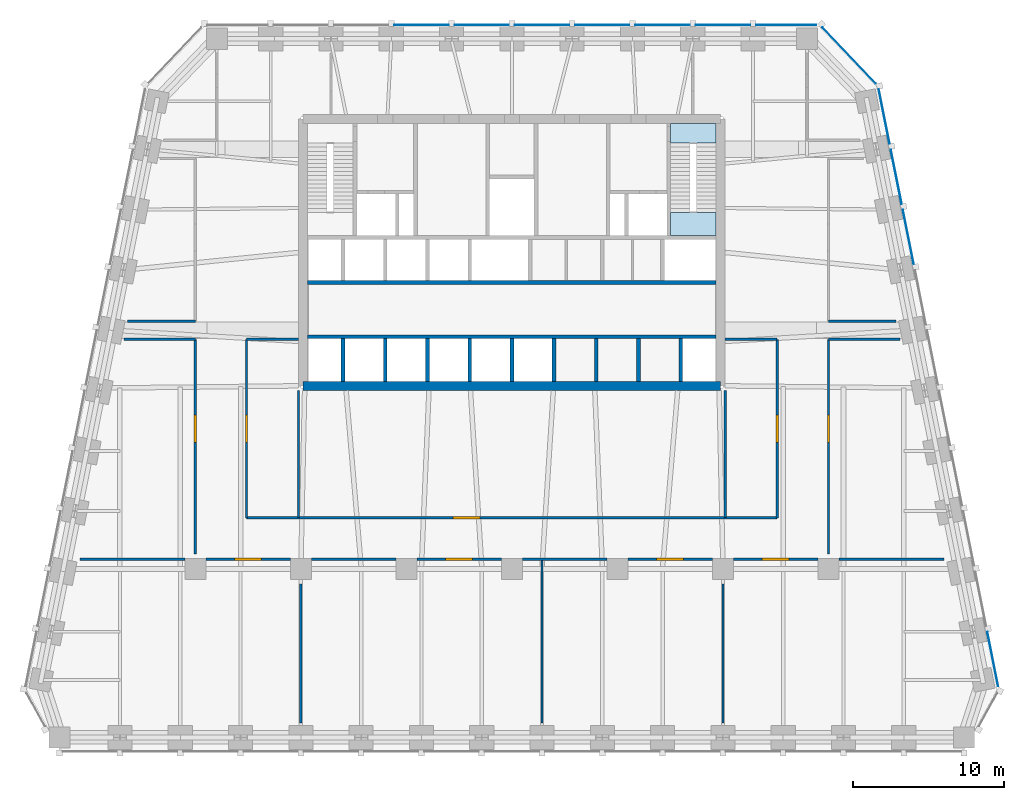
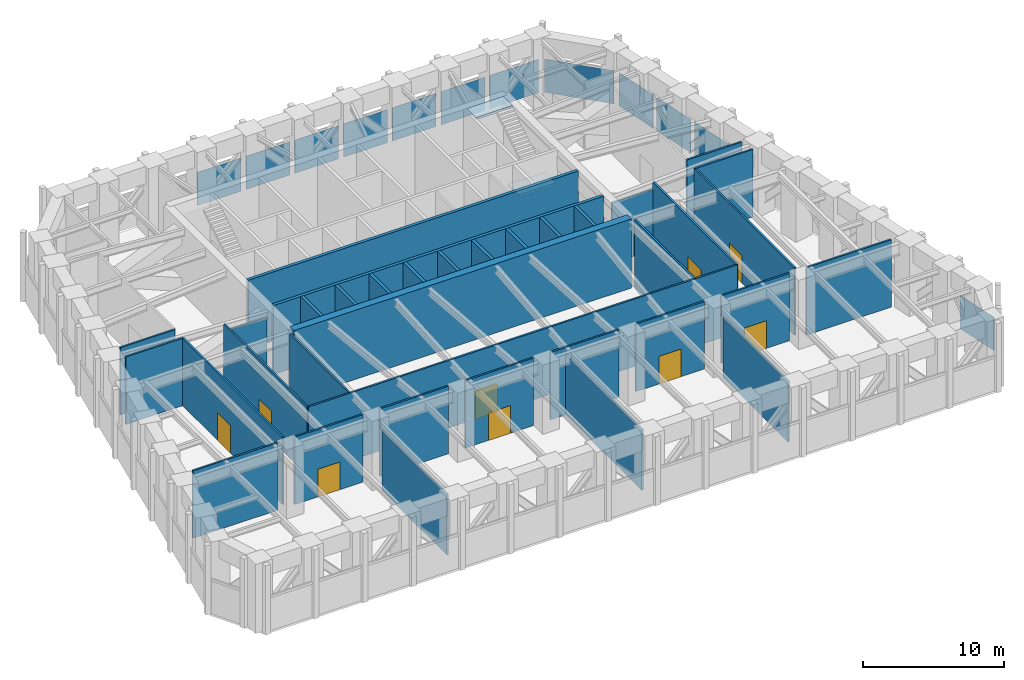
# One storey, part 6 of 9: 36 walls, 12 plates, 9 doors, 2 slabs, 9 openings, 4 elements without a shape of their own.
"""IFC4 building model written with IfcOpenShell, lengths in metres."""

from ifc_helpers import new_model, si_unit, direction, frame, frame_2d, origin, origin_2d, place, context, subcontext, project, spatial, polyline, rectangle, outline, extrude, material, layer, layer_set, type_object, element, fill, aggregate, save


model = new_model("IFC4")

# Units and contexts
model_context = context("Model", 3, precision=1e-05, world=origin(), true_north=direction((0.0, 1.0)))
body_context = subcontext(model_context, "Body", "Model", "MODEL_VIEW")
ifc_project = project(units=[si_unit("LENGTHUNIT", "METRE"), si_unit("AREAUNIT", "SQUARE_METRE"), si_unit("VOLUMEUNIT", "CUBIC_METRE"), si_unit("PLANEANGLEUNIT", "RADIAN"), si_unit("MASSUNIT", "GRAM", prefix="KILO")], contexts=[model_context])

# Site, building, storey
site_placement = place(None, origin())
site = spatial("IfcSite", under=ifc_project, at=site_placement, CompositionType="ELEMENT")
building_placement = place(site_placement, origin())
building = spatial("IfcBuilding", under=site, at=building_placement, Name="Isbrekke Arena Tower", CompositionType="ELEMENT")
storey_placement = place(building_placement, frame((0.0, 0.0, 242.0)))
storey = spatial("IfcBuildingStorey", under=building, at=storey_placement, Name="L56", CompositionType="ELEMENT", Elevation=242.0)

# Curtain wall, plates
ifc_material_1 = material(Name="Glazed aluminium curtain wall", Category="aluminium")
curtain_wall_type = type_object("IfcCurtainWallType", Name="CWR PLANT LOUVRE WALL", PredefinedType="USERDEFINED", material=ifc_material_1)
curtain_wall_1_placement = place(storey_placement, origin())
curtain_wall_1 = element("IfcCurtainWall", 1, at=curtain_wall_1_placement, inside=storey, type_object=curtain_wall_type, Name="CWR curtain wall L56-E", ObjectType="PLANT LOUVRE WALL", PredefinedType="USERDEFINED")
ifc_material_2 = material(Name="Aluminium louvre", Category="aluminium")
ifc_layer_1 = layer(ifc_material_2, 0.031982421875)
ifc_layer_set_1 = layer_set([ifc_layer_1], Name="CWR-P LOUVRE PANEL")
plate_type = type_object("IfcPlateType", Name="CWR-P LOUVRE PANEL", PredefinedType="CURTAIN_PANEL", material=ifc_layer_set_1)
plate_1_placement = place(storey_placement, frame((31.89794921875, -11.98046875, 0.02001953125), z_axis=(0.0, 0.0, 1.0), x_axis=(-0.196116135138, 0.980580675691, 0.0)))
plate_1 = element("IfcPlate", 2, at=plate_1_placement, type_object=plate_type, Name="CWR-P panel 1", PredefinedType="CURTAIN_PANEL", context=body_context, shape_type="SweptSolid", body=[
    extrude(rectangle(XDim=3.67919921875, YDim=0.031982421875, at=origin_2d()), origin(), (0.0, 0.0, 1.0), 2.8798828125),
])
plate_2_placement = place(storey_placement, frame((26.298095703125, 16.01953125, 0.02001953125), z_axis=(0.0, 0.0, 1.0), x_axis=(-0.196116135138, 0.980580675691, 0.0)))
plate_2 = element("IfcPlate", 3, at=plate_2_placement, type_object=plate_type, Name="CWR-P panel 8", PredefinedType="CURTAIN_PANEL", context=body_context, shape_type="SweptSolid", body=[
    extrude(rectangle(XDim=3.67919921875, YDim=0.031982421875, at=origin_2d()), origin(), (0.0, 0.0, 1.0), 2.8798828125),
])
plate_3_placement = place(storey_placement, frame((25.498046875, 20.01953125, 0.02001953125), z_axis=(0.0, 0.0, 1.0), x_axis=(-0.196116135138, 0.980580675691, 0.0)))
plate_3 = element("IfcPlate", 4, at=plate_3_placement, type_object=plate_type, Name="CWR-P panel 9", PredefinedType="CURTAIN_PANEL", context=body_context, shape_type="SweptSolid", body=[
    extrude(rectangle(XDim=3.67919921875, YDim=0.031982421875, at=origin_2d()), origin(), (0.0, 0.0, 1.0), 2.8798828125),
])
plate_4_placement = place(storey_placement, frame((24.697998046875, 24.01953125, 0.02001953125), z_axis=(0.0, 0.0, 1.0), x_axis=(-0.196116135138, 0.980580675691, 0.0)))
plate_4 = element("IfcPlate", 5, at=plate_4_placement, type_object=plate_type, Name="CWR-P panel 10", PredefinedType="CURTAIN_PANEL", context=body_context, shape_type="SweptSolid", body=[
    extrude(rectangle(XDim=3.67919921875, YDim=0.031982421875, at=origin_2d()), origin(), (0.0, 0.0, 1.0), 2.8798828125),
])
aggregate(curtain_wall_1, [plate_1, plate_2, plate_3, plate_4])

# Curtain wall, plate
curtain_wall_2_placement = place(storey_placement, origin())
curtain_wall_2 = element("IfcCurtainWall", 6, at=curtain_wall_2_placement, inside=storey, type_object=curtain_wall_type, Name="CWR curtain wall L56-EN", ObjectType="PLANT LOUVRE WALL", PredefinedType="USERDEFINED")
plate_5_placement = place(storey_placement, frame((22.37255859375, 28.06884765625, 0.02001953125), z_axis=(0.0, 0.0, 1.0), x_axis=(-0.68874946192, 0.72499943359, 0.0)))
plate_5 = element("IfcPlate", 7, at=plate_5_placement, type_object=plate_type, Name="CWR-P panel 1", PredefinedType="CURTAIN_PANEL", context=body_context, shape_type="SweptSolid", body=[
    extrude(rectangle(XDim=5.1171875, YDim=0.031982421875, at=origin_2d()), origin(), (0.0, 0.0, 1.0), 2.8798828125),
])
aggregate(curtain_wall_2, [plate_5])

# Curtain wall, plates
curtain_wall_3_placement = place(storey_placement, origin())
curtain_wall_3 = element("IfcCurtainWall", 8, at=curtain_wall_3_placement, inside=storey, type_object=curtain_wall_type, Name="CWR curtain wall L56-N", ObjectType="PLANT LOUVRE WALL", PredefinedType="USERDEFINED")
plate_6_placement = place(storey_placement, frame((18.199951171875, 30.10009765625, 0.02001953125), z_axis=(0.0, 0.0, 1.0), x_axis=(-1.0, 0.0, 0.0)))
plate_6 = element("IfcPlate", 9, at=plate_6_placement, type_object=plate_type, Name="CWR-P panel 1", PredefinedType="CURTAIN_PANEL", context=body_context, shape_type="SweptSolid", body=[
    extrude(rectangle(XDim=4.0, YDim=0.031982421875, at=origin_2d()), origin(), (0.0, 0.0, 1.0), 2.8798828125),
])
plate_7_placement = place(storey_placement, frame((14.0, 30.10009765625, 0.02001953125), z_axis=(0.0, 0.0, 1.0), x_axis=(-1.0, 0.0, 0.0)))
plate_7 = element("IfcPlate", 10, at=plate_7_placement, type_object=plate_type, Name="CWR-P panel 2", PredefinedType="CURTAIN_PANEL", context=body_context, shape_type="SweptSolid", body=[
    extrude(rectangle(XDim=3.60009765625, YDim=0.031982421875, at=origin_2d()), origin(), (0.0, 0.0, 1.0), 2.8798828125),
])
plate_8_placement = place(storey_placement, frame((10.0, 30.10009765625, 0.02001953125), z_axis=(0.0, 0.0, 1.0), x_axis=(-1.0, 0.0, 0.0)))
plate_8 = element("IfcPlate", 11, at=plate_8_placement, type_object=plate_type, Name="CWR-P panel 3", PredefinedType="CURTAIN_PANEL", context=body_context, shape_type="SweptSolid", body=[
    extrude(rectangle(XDim=3.60009765625, YDim=0.031982421875, at=origin_2d()), origin(), (0.0, 0.0, 1.0), 2.8798828125),
])
plate_9_placement = place(storey_placement, frame((6.0, 30.10009765625, 0.02001953125), z_axis=(0.0, 0.0, 1.0), x_axis=(-1.0, 0.0, 0.0)))
plate_9 = element("IfcPlate", 12, at=plate_9_placement, type_object=plate_type, Name="CWR-P panel 4", PredefinedType="CURTAIN_PANEL", context=body_context, shape_type="SweptSolid", body=[
    extrude(rectangle(XDim=3.60009765625, YDim=0.031982421875, at=origin_2d()), origin(), (0.0, 0.0, 1.0), 2.8798828125),
])
plate_10_placement = place(storey_placement, frame((2.0, 30.10009765625, 0.02001953125), z_axis=(0.0, 0.0, 1.0), x_axis=(-1.0, 0.0, 0.0)))
plate_10 = element("IfcPlate", 13, at=plate_10_placement, type_object=plate_type, Name="CWR-P panel 5", PredefinedType="CURTAIN_PANEL", context=body_context, shape_type="SweptSolid", body=[
    extrude(rectangle(XDim=3.60009765625, YDim=0.031982421875, at=origin_2d()), origin(), (0.0, 0.0, 1.0), 2.8798828125),
])
plate_11_placement = place(storey_placement, frame((-2.0, 30.10009765625, 0.02001953125), z_axis=(0.0, 0.0, 1.0), x_axis=(-1.0, 0.0, 0.0)))
plate_11 = element("IfcPlate", 14, at=plate_11_placement, type_object=plate_type, Name="CWR-P panel 6", PredefinedType="CURTAIN_PANEL", context=body_context, shape_type="SweptSolid", body=[
    extrude(rectangle(XDim=3.60009765625, YDim=0.031982421875, at=origin_2d()), origin(), (0.0, 0.0, 1.0), 2.8798828125),
])
plate_12_placement = place(storey_placement, frame((-6.0, 30.10009765625, 0.02001953125), z_axis=(0.0, 0.0, 1.0), x_axis=(-1.0, 0.0, 0.0)))
plate_12 = element("IfcPlate", 15, at=plate_12_placement, type_object=plate_type, Name="CWR-P panel 7", PredefinedType="CURTAIN_PANEL", context=body_context, shape_type="SweptSolid", body=[
    extrude(rectangle(XDim=3.60009765625, YDim=0.031982421875, at=origin_2d()), origin(), (0.0, 0.0, 1.0), 2.8798828125),
])
aggregate(curtain_wall_3, [plate_6, plate_7, plate_8, plate_9, plate_10, plate_11, plate_12])

# Stair, slabs
ifc_material_3 = material(Name="Concrete B45 (C45/55) precast", Category="concrete")
stair_type = type_object("IfcStairType", Name="ST60 STAIR 1300 WIDE, 36 RISERS 167", PredefinedType="HALF_TURN_STAIR", material=ifc_material_3)
stair_placement = place(storey_placement, origin())
stair = element("IfcStair", 16, at=stair_placement, inside=storey, type_object=stair_type, Name="ST2 stair L56", PredefinedType="HALF_TURN_STAIR")
ifc_material_4 = material(Name="Concrete B35 (C35/45)", Category="concrete")
ifc_layer_2 = layer(ifc_material_4, 0.199951171875)
ifc_layer_set_2 = layer_set([ifc_layer_2], Name="SL1 STAIR LANDING 200")
slab_type = type_object("IfcSlabType", Name="SL1 STAIR LANDING 200", PredefinedType="LANDING", material=ifc_layer_set_2)
slab_1_placement = place(storey_placement, frame((0.0, 0.0, 2.800048828125)))
slab_1 = element("IfcSlab", 17, at=slab_1_placement, type_object=slab_type, Name="ST2 landing 1", PredefinedType="LANDING", context=body_context, shape_type="SweptSolid", body=[
    extrude(outline(polyline([(10.52490234375, 16.125), (13.550048828125, 16.125), (13.550048828125, 17.659912109375), (10.52490234375, 17.659912109375), (10.52490234375, 16.125)])), origin(), (0.0, 0.0, 1.0), 0.199951171875),
])
slab_2_placement = place(storey_placement, frame((0.0, 0.0, 5.800048828125)))
slab_2 = element("IfcSlab", 18, at=slab_2_placement, type_object=slab_type, Name="ST2 landing 2", PredefinedType="LANDING", context=body_context, shape_type="SweptSolid", body=[
    extrude(outline(polyline([(10.52490234375, 22.25), (13.550048828125, 22.25), (13.550048828125, 23.550048828125), (10.52490234375, 23.550048828125), (10.52490234375, 22.25)])), origin(), (0.0, 0.0, 1.0), 0.199951171875),
])
aggregate(stair, [slab_1, slab_2])

# Walls
ifc_material_5 = material(Name="Concrete B55 (C55/67)", Category="concrete")
ifc_layer_3 = layer(ifc_material_5, 0.60009765625)
ifc_layer_set_3 = layer_set([ifc_layer_3], Name="CW4 CORE WALL 600")
wall_type_1 = type_object("IfcWallType", Name="CW4 CORE WALL 600", PredefinedType="SHEAR", material=ifc_layer_set_3)
wall_1_placement = place(storey_placement, frame((-13.85009765625, 6.14990234375, 0.0), z_axis=(0.0, 0.0, 1.0), x_axis=(1.0, 0.0, 0.0)))
element("IfcWall", 19, at=wall_1_placement, inside=storey, type_object=wall_type_1, Name="Core wall S L56", PredefinedType="SHEAR", context=body_context, shape_type="SweptSolid", body=[
    extrude(rectangle(XDim=27.7001953125, YDim=0.60009765625, at=frame_2d((13.85009765625, 0.0))), origin(), (0.0, 0.0, 1.0), 6.0),
])
ifc_material_6 = material(Name="Concrete B45 (C45/55)", Category="concrete")
ifc_layer_4 = layer(ifc_material_6, 0.25)
ifc_layer_set_4 = layer_set([ifc_layer_4], Name="CW6 SHAFT WALL 250")
wall_type_2 = type_object("IfcWallType", Name="CW6 SHAFT WALL 250", PredefinedType="SHEAR", material=ifc_layer_set_4)
for number, where, z_axis, x_axis, name in (
    (20, (-13.550048828125, 9.39990234375, 0.0), (0.0, 0.0, 1.0), (1.0, 0.0, 0.0), "Core wall LS L56"),
    (21, (-13.550048828125, 13.0, 0.0), (0.0, 0.0, 1.0), (1.0, 0.0, 0.0), "Core wall LN L56"),
):
    element("IfcWall", number, at=place(storey_placement, frame(where, z_axis=z_axis, x_axis=x_axis)), inside=storey, type_object=wall_type_2, Name=name, PredefinedType="SHEAR", context=body_context, shape_type="SweptSolid", body=[
        extrude(rectangle(XDim=27.10009765625, YDim=0.25, at=frame_2d((13.550048828125, 0.0))), origin(), (0.0, 0.0, 1.0), 6.0),
    ])
for number, where, z_axis, x_axis, name in (
    (22, (-11.199951171875, 6.449951171875, 0.0), (0.0, 0.0, 1.0), (0.0, 1.0, 0.0), "Core wall SS01 L56"),
    (23, (-8.39990234375, 6.449951171875, 0.0), (0.0, 0.0, 1.0), (0.0, 1.0, 0.0), "Core wall SS02 L56"),
    (24, (-5.60009765625, 6.449951171875, 0.0), (0.0, 0.0, 1.0), (0.0, 1.0, 0.0), "Core wall SS03 L56"),
    (25, (-2.800048828125, 6.449951171875, 0.0), (0.0, 0.0, 1.0), (0.0, 1.0, 0.0), "Core wall SS04 L56"),
    (26, (0.0, 6.449951171875, 0.0), (0.0, 0.0, 1.0), (0.0, 1.0, 0.0), "Core wall SS05 L56"),
    (27, (2.800048828125, 6.449951171875, 0.0), (0.0, 0.0, 1.0), (0.0, 1.0, 0.0), "Core wall SS06 L56"),
    (28, (5.60009765625, 6.449951171875, 0.0), (0.0, 0.0, 1.0), (0.0, 1.0, 0.0), "Core wall SS07 L56"),
    (29, (8.39990234375, 6.449951171875, 0.0), (0.0, 0.0, 1.0), (0.0, 1.0, 0.0), "Core wall SS08 L56"),
    (30, (11.199951171875, 6.449951171875, 0.0), (0.0, 0.0, 1.0), (0.0, 1.0, 0.0), "Core wall SS09 L56"),
):
    element("IfcWall", number, at=place(storey_placement, frame(where, z_axis=z_axis, x_axis=x_axis)), inside=storey, type_object=wall_type_2, Name=name, PredefinedType="SHEAR", context=body_context, shape_type="SweptSolid", body=[
        extrude(rectangle(XDim=2.824951171875, YDim=0.25, at=frame_2d((1.41259765625, 0.0))), origin(), (0.0, 0.0, 1.0), 6.0),
    ])

# Wall, opening, door
ifc_material_7 = material(Name="Gypsum board fire-rated partition on steel studs, two layers each side", Category="steel")
ifc_layer_5 = layer(ifc_material_7, 0.14990234375)
ifc_layer_set_5 = layer_set([ifc_layer_5], Name="IW5 FIRE-RATED PARTITION 150")
wall_type_3 = type_object("IfcWallType", Name="IW5 FIRE-RATED PARTITION 150", PredefinedType="PARTITIONING", material=ifc_layer_set_5)
wall_2_placement = place(storey_placement, frame((17.60009765625, -2.60009765625, 0.0), z_axis=(0.0, 0.0, 1.0), x_axis=(0.0, 1.0, 0.0)))
wall_2 = element("IfcWall", 31, at=wall_2_placement, inside=storey, type_object=wall_type_3, Name="IW5 fire-rated partition L56 plant WEA", PredefinedType="PARTITIONING", context=body_context, shape_type="SweptSolid", body=[
    extrude(rectangle(XDim=11.840087890625, YDim=0.14990234375, at=frame_2d((5.919921875, 0.0))), origin(), (0.0, 0.0, 1.0), 5.85009765625),
])
opening_1_placement = place(wall_2_placement, frame((5.0, 0.0, 0.0)))
opening_1 = element("IfcOpeningElement", 32, at=opening_1_placement, cuts=wall_2, Name="Opening D8", PredefinedType="OPENING", context=body_context, shape_type="SweptSolid", body=[
    extrude(rectangle(XDim=1.800048828125, YDim=2.39990234375, at=frame_2d((0.89990234375, 1.199951171875))), frame((0.0, 0.08984375, 0.0), z_axis=(0.0, -1.0, 0.0), x_axis=(1.0, 0.0, 0.0)), (0.0, 0.0, 1.0), 0.1796875),
])
ifc_material_8 = material(Name="Steel fire door", Category="steel")
door_type = type_object("IfcDoorType", Name="D8 PLANT ROOM DOOR 1800 x 2400", OperationType="DOUBLE_DOOR_SINGLE_SWING", PredefinedType="DOOR", material=ifc_material_8)
door_1_placement = place(opening_1_placement, origin())
door_1 = element("IfcDoor", 33, at=door_1_placement, inside=storey, type_object=door_type, Name="D8 electrical switch room door L56", OperationType="DOUBLE_DOOR_SINGLE_SWING", OverallHeight=2.39990234375, OverallWidth=1.800048828125, PredefinedType="DOOR", context=body_context, shape_type="SweptSolid", body=[
    extrude(rectangle(XDim=1.800048828125, YDim=2.39990234375, at=frame_2d((0.89990234375, 1.199951171875))), frame((0.0, 0.07470703125, 0.0), z_axis=(0.0, -1.0, 0.0), x_axis=(1.0, 0.0, 0.0)), (0.0, 0.0, 1.0), 0.1494140625),
])
fill(opening_1, door_1)

wall_3_placement = place(storey_placement, frame((21.0, -5.0, 0.0), z_axis=(0.0, 0.0, 1.0), x_axis=(0.0, 1.0, 0.0)))
wall_3 = element("IfcWall", 34, at=wall_3_placement, inside=storey, type_object=wall_type_3, Name="IW5 fire-rated partition L56 plant WEB", PredefinedType="PARTITIONING", context=body_context, shape_type="SweptSolid", body=[
    extrude(rectangle(XDim=14.239990234375, YDim=0.14990234375, at=frame_2d((7.1201171875, 0.0))), origin(), (0.0, 0.0, 1.0), 5.85009765625),
])
opening_2_placement = place(wall_3_placement, frame((7.39990234375, 0.0, 0.0)))
opening_2 = element("IfcOpeningElement", 35, at=opening_2_placement, cuts=wall_3, Name="Opening D8", PredefinedType="OPENING", context=body_context, shape_type="SweptSolid", body=[
    extrude(rectangle(XDim=1.800048828125, YDim=2.39990234375, at=frame_2d((0.89990234375, 1.199951171875))), frame((0.0, 0.08984375, 0.0), z_axis=(0.0, -1.0, 0.0), x_axis=(1.0, 0.0, 0.0)), (0.0, 0.0, 1.0), 0.1796875),
])
door_2_placement = place(opening_2_placement, origin())
door_2 = element("IfcDoor", 36, at=door_2_placement, inside=storey, type_object=door_type, Name="D8 heat exchanger plant room door L56", OperationType="DOUBLE_DOOR_SINGLE_SWING", OverallHeight=2.39990234375, OverallWidth=1.800048828125, PredefinedType="DOOR", context=body_context, shape_type="SweptSolid", body=[
    extrude(rectangle(XDim=1.800048828125, YDim=2.39990234375, at=frame_2d((0.89990234375, 1.199951171875))), frame((0.0, 0.07470703125, 0.0), z_axis=(0.0, -1.0, 0.0), x_axis=(1.0, 0.0, 0.0)), (0.0, 0.0, 1.0), 0.1494140625),
])
fill(opening_2, door_2)

# Walls
wall_4_placement = place(storey_placement, frame((14.14990234375, -2.60009765625, 0.0), z_axis=(0.0, 0.0, 1.0), x_axis=(0.0, 1.0, 0.0)))
element("IfcWall", 37, at=wall_4_placement, inside=storey, type_object=wall_type_3, Name="IW5 fire-rated partition L56 plant WED", PredefinedType="PARTITIONING", context=body_context, shape_type="SweptSolid", body=[
    extrude(rectangle(XDim=8.4501953125, YDim=0.14990234375, at=frame_2d((4.22509765625, 0.0))), origin(), (0.0, 0.0, 1.0), 5.85009765625),
])
wall_5_placement = place(storey_placement, frame((14.14990234375, 9.239990234375, 0.0), z_axis=(0.0, 0.0, 1.0), x_axis=(1.0, 0.0, 0.0)))
element("IfcWall", 38, at=wall_5_placement, inside=storey, type_object=wall_type_3, Name="IW5 fire-rated partition L56 plant WEE", PredefinedType="PARTITIONING", context=body_context, shape_type="SweptSolid", body=[
    extrude(rectangle(XDim=3.4501953125, YDim=0.14990234375, at=frame_2d((1.72509765625, 0.0))), origin(), (0.0, 0.0, 1.0), 5.25),
])
wall_6_placement = place(storey_placement, frame((21.0, 9.239990234375, 0.0), z_axis=(0.0, 0.0, 1.0), x_axis=(1.0, 0.0, 0.0)))
element("IfcWall", 39, at=wall_6_placement, inside=storey, type_object=wall_type_3, Name="IW5 fire-rated partition L56 plant WEF", PredefinedType="PARTITIONING", context=body_context, shape_type="SweptSolid", body=[
    extrude(rectangle(XDim=4.73681640625, YDim=0.14990234375, at=frame_2d((2.368408203125, 0.0))), origin(), (0.0, 0.0, 1.0), 5.85009765625),
])
wall_7_placement = place(storey_placement, frame((21.0, 10.43994140625, 0.0), z_axis=(0.0, 0.0, 1.0), x_axis=(1.0, 0.0, 0.0)))
element("IfcWall", 40, at=wall_7_placement, inside=storey, type_object=wall_type_3, Name="IW5 fire-rated partition L56 plant WEG", PredefinedType="PARTITIONING", context=body_context, shape_type="SweptSolid", body=[
    extrude(rectangle(XDim=4.49658203125, YDim=0.14990234375, at=frame_2d((2.248291015625, 0.0))), origin(), (0.0, 0.0, 1.0), 5.85009765625),
])
wall_8_placement = place(storey_placement, frame((14.0, -7.0, 0.0), z_axis=(0.0, 0.0, 1.0), x_axis=(0.0, -1.0, 0.0)))
element("IfcWall", 41, at=wall_8_placement, inside=storey, type_object=wall_type_3, Name="IW5 fire-rated partition L56 plant WEL", PredefinedType="PARTITIONING", context=body_context, shape_type="SweptSolid", body=[
    extrude(rectangle(XDim=9.219970703125, YDim=0.14990234375, at=frame_2d((4.60986328125, 0.0))), origin(), (0.0, 0.0, 1.0), 5.25),
])

# Wall, opening, door
wall_9_placement = place(storey_placement, frame((-17.60009765625, -2.60009765625, 0.0), z_axis=(0.0, 0.0, 1.0), x_axis=(0.0, 1.0, 0.0)))
wall_9 = element("IfcWall", 42, at=wall_9_placement, inside=storey, type_object=wall_type_3, Name="IW5 fire-rated partition L56 plant WWA", PredefinedType="PARTITIONING", context=body_context, shape_type="SweptSolid", body=[
    extrude(rectangle(XDim=11.840087890625, YDim=0.14990234375, at=frame_2d((5.919921875, 0.0))), origin(), (0.0, 0.0, 1.0), 5.85009765625),
])
opening_3_placement = place(wall_9_placement, frame((5.0, 0.0, 0.0)))
opening_3 = element("IfcOpeningElement", 43, at=opening_3_placement, cuts=wall_9, Name="Opening D8", PredefinedType="OPENING", context=body_context, shape_type="SweptSolid", body=[
    extrude(rectangle(XDim=1.800048828125, YDim=2.39990234375, at=frame_2d((0.89990234375, 1.199951171875))), frame((0.0, 0.08984375, 0.0), z_axis=(0.0, -1.0, 0.0), x_axis=(1.0, 0.0, 0.0)), (0.0, 0.0, 1.0), 0.1796875),
])
door_3_placement = place(opening_3_placement, origin())
door_3 = element("IfcDoor", 44, at=door_3_placement, inside=storey, type_object=door_type, Name="D8 transformer and switch room door L56", OperationType="DOUBLE_DOOR_SINGLE_SWING", OverallHeight=2.39990234375, OverallWidth=1.800048828125, PredefinedType="DOOR", context=body_context, shape_type="SweptSolid", body=[
    extrude(rectangle(XDim=1.800048828125, YDim=2.39990234375, at=frame_2d((0.89990234375, 1.199951171875))), frame((0.0, 0.07470703125, 0.0), z_axis=(0.0, -1.0, 0.0), x_axis=(1.0, 0.0, 0.0)), (0.0, 0.0, 1.0), 0.1494140625),
])
fill(opening_3, door_3)

wall_10_placement = place(storey_placement, frame((-21.0, -5.0, 0.0), z_axis=(0.0, 0.0, 1.0), x_axis=(0.0, 1.0, 0.0)))
wall_10 = element("IfcWall", 45, at=wall_10_placement, inside=storey, type_object=wall_type_3, Name="IW5 fire-rated partition L56 plant WWB", PredefinedType="PARTITIONING", context=body_context, shape_type="SweptSolid", body=[
    extrude(rectangle(XDim=14.239990234375, YDim=0.14990234375, at=frame_2d((7.1201171875, 0.0))), origin(), (0.0, 0.0, 1.0), 5.85009765625),
])
opening_4_placement = place(wall_10_placement, frame((7.39990234375, 0.0, 0.0)))
opening_4 = element("IfcOpeningElement", 46, at=opening_4_placement, cuts=wall_10, Name="Opening D8", PredefinedType="OPENING", context=body_context, shape_type="SweptSolid", body=[
    extrude(rectangle(XDim=1.800048828125, YDim=2.39990234375, at=frame_2d((0.89990234375, 1.199951171875))), frame((0.0, 0.08984375, 0.0), z_axis=(0.0, -1.0, 0.0), x_axis=(1.0, 0.0, 0.0)), (0.0, 0.0, 1.0), 0.1796875),
])
door_4_placement = place(opening_4_placement, origin())
door_4 = element("IfcDoor", 47, at=door_4_placement, inside=storey, type_object=door_type, Name="D8 smoke extract plant room door L56", OperationType="DOUBLE_DOOR_SINGLE_SWING", OverallHeight=2.39990234375, OverallWidth=1.800048828125, PredefinedType="DOOR", context=body_context, shape_type="SweptSolid", body=[
    extrude(rectangle(XDim=1.800048828125, YDim=2.39990234375, at=frame_2d((0.89990234375, 1.199951171875))), frame((0.0, 0.07470703125, 0.0), z_axis=(0.0, -1.0, 0.0), x_axis=(1.0, 0.0, 0.0)), (0.0, 0.0, 1.0), 0.1494140625),
])
fill(opening_4, door_4)

# Walls
wall_11_placement = place(storey_placement, frame((-14.14990234375, -2.60009765625, 0.0), z_axis=(0.0, 0.0, 1.0), x_axis=(0.0, 1.0, 0.0)))
element("IfcWall", 48, at=wall_11_placement, inside=storey, type_object=wall_type_3, Name="IW5 fire-rated partition L56 plant WWD", PredefinedType="PARTITIONING", context=body_context, shape_type="SweptSolid", body=[
    extrude(rectangle(XDim=8.4501953125, YDim=0.14990234375, at=frame_2d((4.22509765625, 0.0))), origin(), (0.0, 0.0, 1.0), 5.85009765625),
])
wall_12_placement = place(storey_placement, frame((-14.14990234375, 9.239990234375, 0.0), z_axis=(0.0, 0.0, 1.0), x_axis=(-1.0, 0.0, 0.0)))
element("IfcWall", 49, at=wall_12_placement, inside=storey, type_object=wall_type_3, Name="IW5 fire-rated partition L56 plant WWE", PredefinedType="PARTITIONING", context=body_context, shape_type="SweptSolid", body=[
    extrude(rectangle(XDim=3.4501953125, YDim=0.14990234375, at=frame_2d((1.72509765625, 0.0))), origin(), (0.0, 0.0, 1.0), 5.25),
])
wall_13_placement = place(storey_placement, frame((-21.0, 9.239990234375, 0.0), z_axis=(0.0, 0.0, 1.0), x_axis=(-1.0, 0.0, 0.0)))
element("IfcWall", 50, at=wall_13_placement, inside=storey, type_object=wall_type_3, Name="IW5 fire-rated partition L56 plant WWF", PredefinedType="PARTITIONING", context=body_context, shape_type="SweptSolid", body=[
    extrude(rectangle(XDim=4.73681640625, YDim=0.14990234375, at=frame_2d((2.368408203125, 0.0))), origin(), (0.0, 0.0, 1.0), 5.85009765625),
])
wall_14_placement = place(storey_placement, frame((-21.0, 10.43994140625, 0.0), z_axis=(0.0, 0.0, 1.0), x_axis=(-1.0, 0.0, 0.0)))
element("IfcWall", 51, at=wall_14_placement, inside=storey, type_object=wall_type_3, Name="IW5 fire-rated partition L56 plant WWG", PredefinedType="PARTITIONING", context=body_context, shape_type="SweptSolid", body=[
    extrude(rectangle(XDim=4.49658203125, YDim=0.14990234375, at=frame_2d((2.248291015625, 0.0))), origin(), (0.0, 0.0, 1.0), 5.85009765625),
])
wall_15_placement = place(storey_placement, frame((-14.0, -7.0, 0.0), z_axis=(0.0, 0.0, 1.0), x_axis=(0.0, -1.0, 0.0)))
element("IfcWall", 52, at=wall_15_placement, inside=storey, type_object=wall_type_3, Name="IW5 fire-rated partition L56 plant WWL", PredefinedType="PARTITIONING", context=body_context, shape_type="SweptSolid", body=[
    extrude(rectangle(XDim=9.219970703125, YDim=0.14990234375, at=frame_2d((4.60986328125, 0.0))), origin(), (0.0, 0.0, 1.0), 5.25),
])
wall_16_placement = place(storey_placement, frame((-28.65478515625, -5.35009765625, 0.0), z_axis=(0.0, 0.0, 1.0), x_axis=(1.0, 0.0, 0.0)))
element("IfcWall", 53, at=wall_16_placement, inside=storey, type_object=wall_type_3, Name="IW5 fire-rated partition L56 plant WSa", PredefinedType="PARTITIONING", context=body_context, shape_type="SweptSolid", body=[
    extrude(rectangle(XDim=6.954833984375, YDim=0.14990234375, at=frame_2d((3.4775390625, 0.0))), origin(), (0.0, 0.0, 1.0), 5.85009765625),
])

# Wall, opening, door
wall_17_placement = place(storey_placement, frame((-20.300048828125, -5.35009765625, 0.0), z_axis=(0.0, 0.0, 1.0), x_axis=(1.0, 0.0, 0.0)))
wall_17 = element("IfcWall", 54, at=wall_17_placement, inside=storey, type_object=wall_type_3, Name="IW5 fire-rated partition L56 plant WSb", PredefinedType="PARTITIONING", context=body_context, shape_type="SweptSolid", body=[
    extrude(rectangle(XDim=5.60009765625, YDim=0.14990234375, at=frame_2d((2.800048828125, 0.0))), origin(), (0.0, 0.0, 1.0), 5.85009765625),
])
opening_5_placement = place(wall_17_placement, frame((1.89990234375, 0.0, 0.0)))
opening_5 = element("IfcOpeningElement", 55, at=opening_5_placement, cuts=wall_17, Name="Opening D8", PredefinedType="OPENING", context=body_context, shape_type="SweptSolid", body=[
    extrude(rectangle(XDim=1.800048828125, YDim=2.39990234375, at=frame_2d((0.89990234375, 1.199951171875))), frame((0.0, 0.08984375, 0.0), z_axis=(0.0, -1.0, 0.0), x_axis=(1.0, 0.0, 0.0)), (0.0, 0.0, 1.0), 0.1796875),
])
door_5_placement = place(opening_5_placement, origin())
door_5 = element("IfcDoor", 56, at=door_5_placement, inside=storey, type_object=door_type, Name="D8 domestic water booster plant room door L56", OperationType="DOUBLE_DOOR_SINGLE_SWING", OverallHeight=2.39990234375, OverallWidth=1.800048828125, PredefinedType="DOOR", context=body_context, shape_type="SweptSolid", body=[
    extrude(rectangle(XDim=1.800048828125, YDim=2.39990234375, at=frame_2d((0.89990234375, 1.199951171875))), frame((0.0, 0.07470703125, 0.0), z_axis=(0.0, -1.0, 0.0), x_axis=(1.0, 0.0, 0.0)), (0.0, 0.0, 1.0), 0.1494140625),
])
fill(opening_5, door_5)

# Wall
wall_18_placement = place(storey_placement, frame((-13.300048828125, -5.35009765625, 0.0), z_axis=(0.0, 0.0, 1.0), x_axis=(1.0, 0.0, 0.0)))
element("IfcWall", 57, at=wall_18_placement, inside=storey, type_object=wall_type_3, Name="IW5 fire-rated partition L56 plant WSc", PredefinedType="PARTITIONING", context=body_context, shape_type="SweptSolid", body=[
    extrude(rectangle(XDim=5.60009765625, YDim=0.14990234375, at=frame_2d((2.800048828125, 0.0))), origin(), (0.0, 0.0, 1.0), 5.85009765625),
])

# Wall, opening, door
wall_19_placement = place(storey_placement, frame((-6.300048828125, -5.35009765625, 0.0), z_axis=(0.0, 0.0, 1.0), x_axis=(1.0, 0.0, 0.0)))
wall_19 = element("IfcWall", 58, at=wall_19_placement, inside=storey, type_object=wall_type_3, Name="IW5 fire-rated partition L56 plant WSd", PredefinedType="PARTITIONING", context=body_context, shape_type="SweptSolid", body=[
    extrude(rectangle(XDim=5.60009765625, YDim=0.14990234375, at=frame_2d((2.800048828125, 0.0))), origin(), (0.0, 0.0, 1.0), 5.85009765625),
])
opening_6_placement = place(wall_19_placement, frame((1.89990234375, 0.0, 0.0)))
opening_6 = element("IfcOpeningElement", 59, at=opening_6_placement, cuts=wall_19, Name="Opening D8", PredefinedType="OPENING", context=body_context, shape_type="SweptSolid", body=[
    extrude(rectangle(XDim=1.800048828125, YDim=2.39990234375, at=frame_2d((0.89990234375, 1.199951171875))), frame((0.0, 0.08984375, 0.0), z_axis=(0.0, -1.0, 0.0), x_axis=(1.0, 0.0, 0.0)), (0.0, 0.0, 1.0), 0.1796875),
])
door_6_placement = place(opening_6_placement, origin())
door_6 = element("IfcDoor", 60, at=door_6_placement, inside=storey, type_object=door_type, Name="D8 district heating and cooling plant room door L56", OperationType="DOUBLE_DOOR_SINGLE_SWING", OverallHeight=2.39990234375, OverallWidth=1.800048828125, PredefinedType="DOOR", context=body_context, shape_type="SweptSolid", body=[
    extrude(rectangle(XDim=1.800048828125, YDim=2.39990234375, at=frame_2d((0.89990234375, 1.199951171875))), frame((0.0, 0.07470703125, 0.0), z_axis=(0.0, -1.0, 0.0), x_axis=(1.0, 0.0, 0.0)), (0.0, 0.0, 1.0), 0.1494140625),
])
fill(opening_6, door_6)

# Wall
wall_20_placement = place(storey_placement, frame((0.699951171875, -5.35009765625, 0.0), z_axis=(0.0, 0.0, 1.0), x_axis=(1.0, 0.0, 0.0)))
element("IfcWall", 61, at=wall_20_placement, inside=storey, type_object=wall_type_3, Name="IW5 fire-rated partition L56 plant WSe", PredefinedType="PARTITIONING", context=body_context, shape_type="SweptSolid", body=[
    extrude(rectangle(XDim=5.60009765625, YDim=0.14990234375, at=frame_2d((2.800048828125, 0.0))), origin(), (0.0, 0.0, 1.0), 5.85009765625),
])

# Wall, opening, door
wall_21_placement = place(storey_placement, frame((7.699951171875, -5.35009765625, 0.0), z_axis=(0.0, 0.0, 1.0), x_axis=(1.0, 0.0, 0.0)))
wall_21 = element("IfcWall", 62, at=wall_21_placement, inside=storey, type_object=wall_type_3, Name="IW5 fire-rated partition L56 plant WSf", PredefinedType="PARTITIONING", context=body_context, shape_type="SweptSolid", body=[
    extrude(rectangle(XDim=5.60009765625, YDim=0.14990234375, at=frame_2d((2.800048828125, 0.0))), origin(), (0.0, 0.0, 1.0), 5.85009765625),
])
opening_7_placement = place(wall_21_placement, frame((1.89990234375, 0.0, 0.0)))
opening_7 = element("IfcOpeningElement", 63, at=opening_7_placement, cuts=wall_21, Name="Opening D8", PredefinedType="OPENING", context=body_context, shape_type="SweptSolid", body=[
    extrude(rectangle(XDim=1.800048828125, YDim=2.39990234375, at=frame_2d((0.89990234375, 1.199951171875))), frame((0.0, 0.08984375, 0.0), z_axis=(0.0, -1.0, 0.0), x_axis=(1.0, 0.0, 0.0)), (0.0, 0.0, 1.0), 0.1796875),
])
door_7_placement = place(opening_7_placement, origin())
door_7 = element("IfcDoor", 64, at=door_7_placement, inside=storey, type_object=door_type, Name="D8 chiller plant room door L56", OperationType="DOUBLE_DOOR_SINGLE_SWING", OverallHeight=2.39990234375, OverallWidth=1.800048828125, PredefinedType="DOOR", context=body_context, shape_type="SweptSolid", body=[
    extrude(rectangle(XDim=1.800048828125, YDim=2.39990234375, at=frame_2d((0.89990234375, 1.199951171875))), frame((0.0, 0.07470703125, 0.0), z_axis=(0.0, -1.0, 0.0), x_axis=(1.0, 0.0, 0.0)), (0.0, 0.0, 1.0), 0.1494140625),
])
fill(opening_7, door_7)

wall_22_placement = place(storey_placement, frame((14.699951171875, -5.35009765625, 0.0), z_axis=(0.0, 0.0, 1.0), x_axis=(1.0, 0.0, 0.0)))
wall_22 = element("IfcWall", 65, at=wall_22_placement, inside=storey, type_object=wall_type_3, Name="IW5 fire-rated partition L56 plant WSg", PredefinedType="PARTITIONING", context=body_context, shape_type="SweptSolid", body=[
    extrude(rectangle(XDim=5.60009765625, YDim=0.14990234375, at=frame_2d((2.800048828125, 0.0))), origin(), (0.0, 0.0, 1.0), 5.85009765625),
])
opening_8_placement = place(wall_22_placement, frame((1.89990234375, 0.0, 0.0)))
opening_8 = element("IfcOpeningElement", 66, at=opening_8_placement, cuts=wall_22, Name="Opening D8", PredefinedType="OPENING", context=body_context, shape_type="SweptSolid", body=[
    extrude(rectangle(XDim=1.800048828125, YDim=2.39990234375, at=frame_2d((0.89990234375, 1.199951171875))), frame((0.0, 0.08984375, 0.0), z_axis=(0.0, -1.0, 0.0), x_axis=(1.0, 0.0, 0.0)), (0.0, 0.0, 1.0), 0.1796875),
])
door_8_placement = place(opening_8_placement, origin())
door_8 = element("IfcDoor", 67, at=door_8_placement, inside=storey, type_object=door_type, Name="D8 sprinkler tank and pump plant room door L56", OperationType="DOUBLE_DOOR_SINGLE_SWING", OverallHeight=2.39990234375, OverallWidth=1.800048828125, PredefinedType="DOOR", context=body_context, shape_type="SweptSolid", body=[
    extrude(rectangle(XDim=1.800048828125, YDim=2.39990234375, at=frame_2d((0.89990234375, 1.199951171875))), frame((0.0, 0.07470703125, 0.0), z_axis=(0.0, -1.0, 0.0), x_axis=(1.0, 0.0, 0.0)), (0.0, 0.0, 1.0), 0.1494140625),
])
fill(opening_8, door_8)

# Wall
wall_23_placement = place(storey_placement, frame((21.699951171875, -5.35009765625, 0.0), z_axis=(0.0, 0.0, 1.0), x_axis=(1.0, 0.0, 0.0)))
element("IfcWall", 68, at=wall_23_placement, inside=storey, type_object=wall_type_3, Name="IW5 fire-rated partition L56 plant WSh", PredefinedType="PARTITIONING", context=body_context, shape_type="SweptSolid", body=[
    extrude(rectangle(XDim=6.954833984375, YDim=0.14990234375, at=frame_2d((3.4775390625, 0.0))), origin(), (0.0, 0.0, 1.0), 5.85009765625),
])

# Wall, opening, door
wall_24_placement = place(storey_placement, frame((-17.60009765625, -2.60009765625, 0.0), z_axis=(0.0, 0.0, 1.0), x_axis=(1.0, 0.0, 0.0)))
wall_24 = element("IfcWall", 69, at=wall_24_placement, inside=storey, type_object=wall_type_3, Name="IW5 fire-rated partition L56 plant WC", PredefinedType="PARTITIONING", context=body_context, shape_type="SweptSolid", body=[
    extrude(rectangle(XDim=35.2001953125, YDim=0.14990234375, at=frame_2d((17.60009765625, 0.0))), origin(), (0.0, 0.0, 1.0), 5.85009765625),
])
opening_9_placement = place(wall_24_placement, frame((13.699951171875, 0.0, 0.0)))
opening_9 = element("IfcOpeningElement", 70, at=opening_9_placement, cuts=wall_24, Name="Opening D8", PredefinedType="OPENING", context=body_context, shape_type="SweptSolid", body=[
    extrude(rectangle(XDim=1.800048828125, YDim=2.39990234375, at=frame_2d((0.89990234375, 1.199951171875))), frame((0.0, 0.08984375, 0.0), z_axis=(0.0, -1.0, 0.0), x_axis=(1.0, 0.0, 0.0)), (0.0, 0.0, 1.0), 0.1796875),
])
door_9_placement = place(opening_9_placement, origin())
door_9 = element("IfcDoor", 71, at=door_9_placement, inside=storey, type_object=door_type, Name="D8 air-handling plant room door L56", OperationType="DOUBLE_DOOR_SINGLE_SWING", OverallHeight=2.39990234375, OverallWidth=1.800048828125, PredefinedType="DOOR", context=body_context, shape_type="SweptSolid", body=[
    extrude(rectangle(XDim=1.800048828125, YDim=2.39990234375, at=frame_2d((0.89990234375, 1.199951171875))), frame((0.0, 0.07470703125, 0.0), z_axis=(0.0, -1.0, 0.0), x_axis=(1.0, 0.0, 0.0)), (0.0, 0.0, 1.0), 0.1494140625),
])
fill(opening_9, door_9)

# Wall
wall_25_placement = place(storey_placement, frame((2.0, -5.425048828125, 0.0), z_axis=(0.0, 0.0, 1.0), x_axis=(0.0, -1.0, 0.0)))
element("IfcWall", 72, at=wall_25_placement, inside=storey, type_object=wall_type_3, Name="IW5 fire-rated partition L56 plant WR6", PredefinedType="PARTITIONING", context=body_context, shape_type="SweptSolid", body=[
    extrude(rectangle(XDim=10.794921875, YDim=0.14990234375, at=frame_2d((5.3974609375, 0.0))), origin(), (0.0, 0.0, 1.0), 5.25),
])

save(model, "model.ifc")
